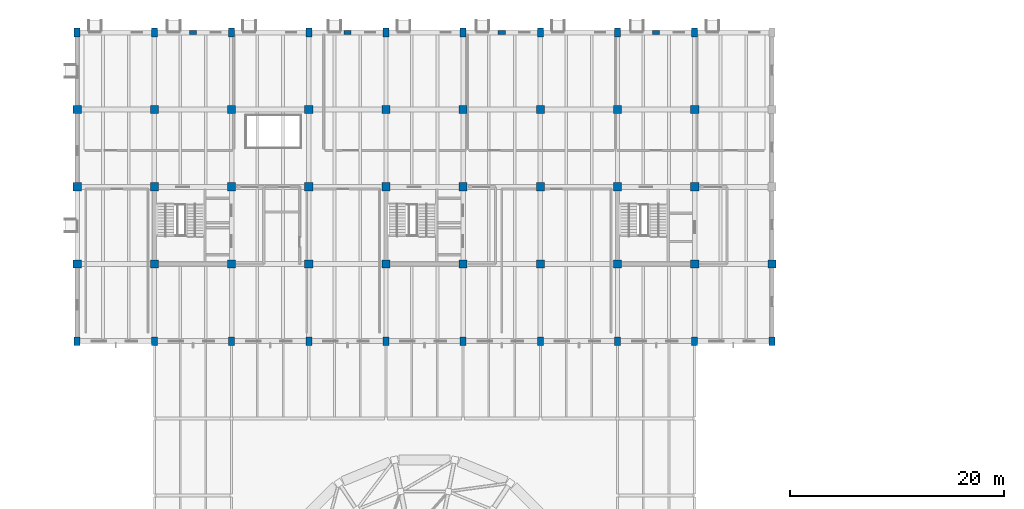
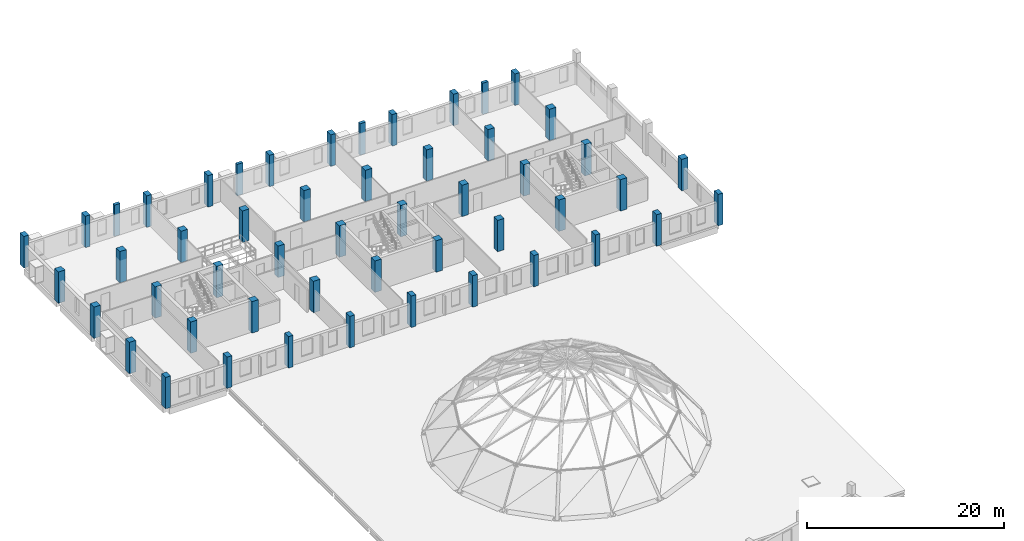
# One storey, part 3 of 32: 51 columns.
"""IFC4 building model written with IfcOpenShell, lengths in metres."""

from ifc_helpers import new_model, si_unit, direction, frame, origin, origin_2d, place, context, subcontext, project, spatial, rectangle, extrude, material, material_profile, profile_set, type_object, element, save


model = new_model("IFC4")

# Units and contexts
model_context = context("Model", 3, precision=1e-05, world=origin(), true_north=direction((0.0, 1.0)))
body_context = subcontext(model_context, "Body", "Model", "MODEL_VIEW")
ifc_project = project(units=[si_unit("LENGTHUNIT", "METRE"), si_unit("AREAUNIT", "SQUARE_METRE"), si_unit("VOLUMEUNIT", "CUBIC_METRE"), si_unit("PLANEANGLEUNIT", "RADIAN"), si_unit("MASSUNIT", "GRAM", prefix="KILO")], contexts=[model_context])

# Site, building, storey
site_placement = place(None, origin())
site = spatial("IfcSite", under=ifc_project, at=site_placement, CompositionType="ELEMENT")
building_placement = place(site_placement, origin())
building = spatial("IfcBuilding", under=site, at=building_placement, Name="Qiaolan Assembly House", CompositionType="ELEMENT")
storey_placement = place(building_placement, frame((0.0, 0.0, 18.60009765625)))
storey = spatial("IfcBuildingStorey", under=building, at=storey_placement, Name="L04", CompositionType="ELEMENT", Elevation=18.60009765625)

# Columns
ifc_material_1 = material(Name="Concrete C45/55", Category="concrete")
ifc_material_profile_1 = material_profile(ifc_material_1, rectangle(XDim=0.760009765625, YDim=0.760009765625, at=origin_2d()), Name="RC 760x760")
ifc_profile_set_1 = profile_set([ifc_material_profile_1], Name="Concrete C45/55")
column_type_1 = type_object("IfcColumnType", Name="COL-RC-760", PredefinedType="COLUMN", material=ifc_profile_set_1)
for number, where, z_axis, x_axis, name in (
    (1, (36.0, 93.60009765625, 0.0), (0.0, 0.0, 1.0), (1.0, 0.0, 0.0), "RC-20 column NW L04"),
    (2, (36.0, 100.800048828125, 0.0), (0.0, 0.0, 1.0), (1.0, 0.0, 0.0), "RC-20 column NW L04"),
    (3, (36.0, 108.0, 0.0), (0.0, 0.0, 1.0), (1.0, 0.0, 0.0), "RC-20 column NW L04"),
    (4, (43.199951171875, 93.60009765625, 0.0), (0.0, 0.0, 1.0), (1.0, 0.0, 0.0), "RC-20 column NW L04"),
    (5, (43.199951171875, 100.800048828125, 0.0), (0.0, 0.0, 1.0), (1.0, 0.0, 0.0), "RC-20 column NW L04"),
    (6, (43.199951171875, 108.0, 0.0), (0.0, 0.0, 1.0), (1.0, 0.0, 0.0), "RC-20 column NW L04"),
    (7, (50.39990234375, 93.60009765625, 0.0), (0.0, 0.0, 1.0), (1.0, 0.0, 0.0), "RC-20 column NW L04"),
    (8, (50.39990234375, 100.800048828125, 0.0), (0.0, 0.0, 1.0), (1.0, 0.0, 0.0), "RC-20 column NW L04"),
    (9, (50.39990234375, 108.0, 0.0), (0.0, 0.0, 1.0), (1.0, 0.0, 0.0), "RC-20 column NW L04"),
    (10, (57.60009765625, 93.60009765625, 0.0), (0.0, 0.0, 1.0), (1.0, 0.0, 0.0), "RC-20 column NW L04"),
    (11, (57.60009765625, 100.800048828125, 0.0), (0.0, 0.0, 1.0), (1.0, 0.0, 0.0), "RC-20 column NW L04"),
    (12, (57.60009765625, 108.0, 0.0), (0.0, 0.0, 1.0), (1.0, 0.0, 0.0), "RC-20 column NW L04"),
    (13, (64.800048828125, 93.60009765625, 0.0), (0.0, 0.0, 1.0), (1.0, 0.0, 0.0), "RC-20 column NW L04"),
    (14, (64.800048828125, 100.800048828125, 0.0), (0.0, 0.0, 1.0), (1.0, 0.0, 0.0), "RC-20 column NW L04"),
    (15, (64.800048828125, 108.0, 0.0), (0.0, 0.0, 1.0), (1.0, 0.0, 0.0), "RC-20 column NW L04"),
    (16, (72.0, 93.60009765625, 0.0), (0.0, 0.0, 1.0), (1.0, 0.0, 0.0), "RC-20 column NW L04"),
    (17, (72.0, 100.800048828125, 0.0), (0.0, 0.0, 1.0), (1.0, 0.0, 0.0), "RC-20 column NW L04"),
    (18, (72.0, 108.0, 0.0), (0.0, 0.0, 1.0), (1.0, 0.0, 0.0), "RC-20 column NW L04"),
    (19, (79.199951171875, 93.60009765625, 0.0), (0.0, 0.0, 1.0), (1.0, 0.0, 0.0), "RC-20 column NW L04"),
    (20, (79.199951171875, 100.800048828125, 0.0), (0.0, 0.0, 1.0), (1.0, 0.0, 0.0), "RC-20 column NW L04"),
    (21, (79.199951171875, 108.0, 0.0), (0.0, 0.0, 1.0), (1.0, 0.0, 0.0), "RC-20 column NW L04"),
    (22, (86.39990234375, 93.60009765625, 0.0), (0.0, 0.0, 1.0), (1.0, 0.0, 0.0), "RC-20 column NW L04"),
    (23, (86.39990234375, 100.800048828125, 0.0), (0.0, 0.0, 1.0), (1.0, 0.0, 0.0), "RC-20 column NW L04"),
    (24, (86.39990234375, 108.0, 0.0), (0.0, 0.0, 1.0), (1.0, 0.0, 0.0), "RC-20 column NW L04"),
    (25, (93.60009765625, 93.60009765625, 0.0), (0.0, 0.0, 1.0), (1.0, 0.0, 0.0), "RC-20 column NW L04"),
    (26, (93.60009765625, 100.800048828125, 0.0), (0.0, 0.0, 1.0), (1.0, 0.0, 0.0), "RC-20 column NW L04"),
    (27, (93.60009765625, 108.0, 0.0), (0.0, 0.0, 1.0), (1.0, 0.0, 0.0), "RC-20 column NW L04"),
    (28, (100.800048828125, 93.60009765625, 0.0), (0.0, 0.0, 1.0), (1.0, 0.0, 0.0), "RC-20 column NW L04"),
):
    element("IfcColumn", number, at=place(storey_placement, frame(where, z_axis=z_axis, x_axis=x_axis)), inside=storey, type_object=column_type_1, Name=name, PredefinedType="COLUMN", context=body_context, shape_type="SweptSolid", body=[
        extrude(rectangle(XDim=0.760009765625, YDim=0.760009765625, at=origin_2d()), origin(), (0.0, 0.0, 1.0), 3.89990234375),
    ])
ifc_material_2 = material(Name="Concrete C40/50", Category="concrete")
ifc_material_profile_2 = material_profile(ifc_material_2, rectangle(XDim=0.56005859375, YDim=0.804931640625, at=origin_2d()), Name="RC 805x560")
ifc_profile_set_2 = profile_set([ifc_material_profile_2], Name="Concrete C40/50")
column_type_2 = type_object("IfcColumnType", Name="COL-RC-805x560", PredefinedType="COLUMN", material=ifc_profile_set_2)
for number, where, z_axis, x_axis, name in (
    (29, (36.0, 86.39990234375, 0.0), (0.0, 0.0, 1.0), (1.0, 0.0, 0.0), "RC-23 column NW L04"),
    (30, (36.0, 115.199951171875, 0.0), (0.0, 0.0, 1.0), (1.0, 0.0, 0.0), "RC-23 column NW L04"),
    (31, (43.199951171875, 86.39990234375, 0.0), (0.0, 0.0, 1.0), (1.0, 0.0, 0.0), "RC-23 column NW L04"),
    (32, (43.199951171875, 115.199951171875, 0.0), (0.0, 0.0, 1.0), (1.0, 0.0, 0.0), "RC-23 column NW L04"),
    (33, (50.39990234375, 86.39990234375, 0.0), (0.0, 0.0, 1.0), (1.0, 0.0, 0.0), "RC-23 column NW L04"),
    (34, (50.39990234375, 115.199951171875, 0.0), (0.0, 0.0, 1.0), (1.0, 0.0, 0.0), "RC-23 column NW L04"),
    (35, (57.60009765625, 86.39990234375, 0.0), (0.0, 0.0, 1.0), (1.0, 0.0, 0.0), "RC-23 column NW L04"),
    (36, (57.60009765625, 115.199951171875, 0.0), (0.0, 0.0, 1.0), (1.0, 0.0, 0.0), "RC-23 column NW L04"),
    (37, (64.800048828125, 86.39990234375, 0.0), (0.0, 0.0, 1.0), (1.0, 0.0, 0.0), "RC-23 column NW L04"),
    (38, (64.800048828125, 115.199951171875, 0.0), (0.0, 0.0, 1.0), (1.0, 0.0, 0.0), "RC-23 column NW L04"),
    (39, (72.0, 86.39990234375, 0.0), (0.0, 0.0, 1.0), (1.0, 0.0, 0.0), "RC-23 column NW L04"),
    (40, (72.0, 115.199951171875, 0.0), (0.0, 0.0, 1.0), (1.0, 0.0, 0.0), "RC-23 column NW L04"),
    (41, (79.199951171875, 86.39990234375, 0.0), (0.0, 0.0, 1.0), (1.0, 0.0, 0.0), "RC-23 column NW L04"),
    (42, (79.199951171875, 115.199951171875, 0.0), (0.0, 0.0, 1.0), (1.0, 0.0, 0.0), "RC-23 column NW L04"),
    (43, (86.39990234375, 86.39990234375, 0.0), (0.0, 0.0, 1.0), (1.0, 0.0, 0.0), "RC-23 column NW L04"),
    (44, (86.39990234375, 115.199951171875, 0.0), (0.0, 0.0, 1.0), (1.0, 0.0, 0.0), "RC-23 column NW L04"),
    (45, (93.60009765625, 86.39990234375, 0.0), (0.0, 0.0, 1.0), (1.0, 0.0, 0.0), "RC-23 column NW L04"),
    (46, (93.60009765625, 115.199951171875, 0.0), (0.0, 0.0, 1.0), (1.0, 0.0, 0.0), "RC-23 column NW L04"),
    (47, (100.800048828125, 86.39990234375, 0.0), (0.0, 0.0, 1.0), (1.0, 0.0, 0.0), "RC-23 column NW L04"),
):
    element("IfcColumn", number, at=place(storey_placement, frame(where, z_axis=z_axis, x_axis=x_axis)), inside=storey, type_object=column_type_2, Name=name, PredefinedType="COLUMN", context=body_context, shape_type="SweptSolid", body=[
        extrude(rectangle(XDim=0.56005859375, YDim=0.804931640625, at=origin_2d()), origin(), (0.0, 0.0, 1.0), 3.89990234375),
    ])
ifc_material_3 = material(Name="Precast concrete C45/55", Category="concrete")
ifc_material_profile_3 = material_profile(ifc_material_3, rectangle(XDim=0.659912109375, YDim=0.35009765625, at=origin_2d()), Name="PIL 660x350")
ifc_profile_set_3 = profile_set([ifc_material_profile_3], Name="Precast concrete C45/55")
column_type_3 = type_object("IfcColumnType", Name="PIL-NW-660x350", PredefinedType="PILASTER", material=ifc_profile_set_3)
for number, where, z_axis, x_axis, name in (
    (48, (46.800048828125, 115.199951171875, 0.0), (0.0, 0.0, 1.0), (1.0, 0.0, 0.0), "PL-07 neoclassical pilaster NW L04"),
    (49, (61.199951171875, 115.199951171875, 0.0), (0.0, 0.0, 1.0), (1.0, 0.0, 0.0), "PL-07 neoclassical pilaster NW L04"),
    (50, (75.60009765625, 115.199951171875, 0.0), (0.0, 0.0, 1.0), (1.0, 0.0, 0.0), "PL-07 neoclassical pilaster NW L04"),
    (51, (90.0, 115.199951171875, 0.0), (0.0, 0.0, 1.0), (1.0, 0.0, 0.0), "PL-07 neoclassical pilaster NW L04"),
):
    element("IfcColumn", number, at=place(storey_placement, frame(where, z_axis=z_axis, x_axis=x_axis)), inside=storey, type_object=column_type_3, Name=name, PredefinedType="PILASTER", context=body_context, shape_type="SweptSolid", body=[
        extrude(rectangle(XDim=0.659912109375, YDim=0.35009765625, at=origin_2d()), origin(), (0.0, 0.0, 1.0), 3.89990234375),
    ])

save(model, "model.ifc")
